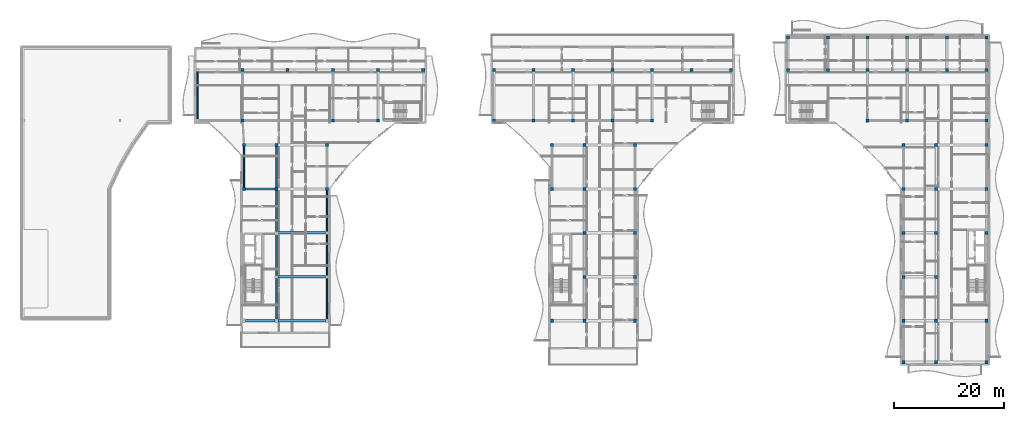
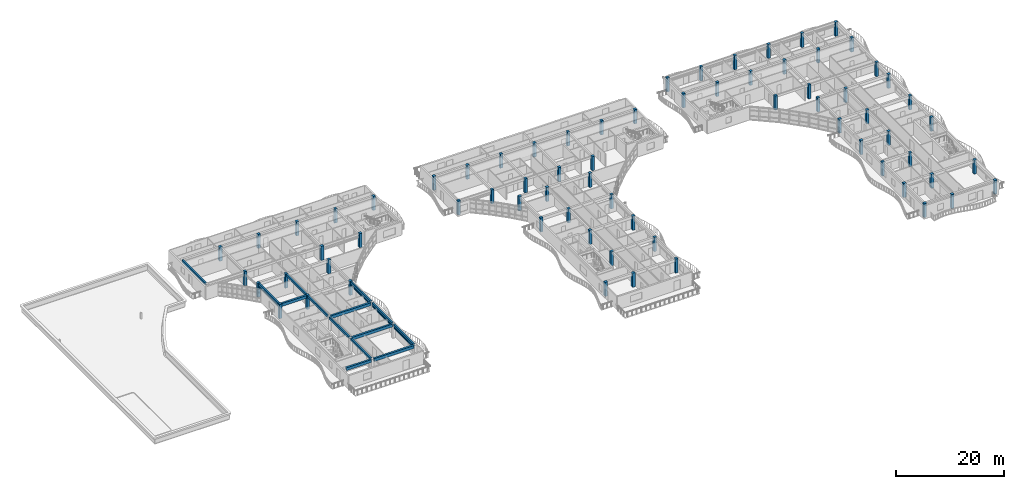
# One storey, part 3 of 54: 71 columns, 14 beams, 8 members.
"""IFC4 building model written with IfcOpenShell, lengths in metres."""

from ifc_helpers import new_model, si_unit, direction, frame, origin, origin_2d, place, context, subcontext, project, spatial, rectangle, hollow_rectangle, extrude, material, material_profile, profile_set, type_object, element, save


model = new_model("IFC4")

# Units and contexts
model_context = context("Model", 3, precision=1e-05, world=origin(), true_north=direction((0.0, 1.0)))
body_context = subcontext(model_context, "Body", "Model", "MODEL_VIEW")
ifc_project = project(units=[si_unit("LENGTHUNIT", "METRE"), si_unit("AREAUNIT", "SQUARE_METRE"), si_unit("VOLUMEUNIT", "CUBIC_METRE"), si_unit("PLANEANGLEUNIT", "RADIAN"), si_unit("MASSUNIT", "GRAM", prefix="KILO")], contexts=[model_context])

# Site, building, storey
site_placement = place(None, origin())
site = spatial("IfcSite", under=ifc_project, at=site_placement, CompositionType="ELEMENT")
building_placement = place(site_placement, origin())
building = spatial("IfcBuilding", under=site, at=building_placement, Name="Keldmere Railside Commons", CompositionType="ELEMENT")
storey_placement = place(building_placement, frame((0.0, 0.0, 26.56005859375)))
storey = spatial("IfcBuildingStorey", under=building, at=storey_placement, Name="L08", CompositionType="ELEMENT", Elevation=26.56005859375)

# Columns
ifc_material_1 = material(Name="Concrete H-35 (C35/45)", Category="concrete")
ifc_material_profile_1 = material_profile(ifc_material_1, rectangle(XDim=0.550048828125, YDim=0.550048828125, at=origin_2d()), Name="RC-550x550")
ifc_profile_set_1 = profile_set([ifc_material_profile_1], Name="Concrete H-35 (C35/45)")
column_type = type_object("IfcColumnType", Name="Upper-Mid RC Column 550x550", PredefinedType="COLUMN", material=ifc_profile_set_1)
for number, where, z_axis, x_axis, name in (
    (1, (48.169921875, 100.449951171875, 0.0), (0.0, 0.0, 1.0), (1.0, 0.0, 0.0), "C-550 COL-L08-0394"),
    (2, (48.169921875, 109.64990234375, 0.0), (0.0, 0.0, 1.0), (1.0, 0.0, 0.0), "C-550 COL-L08-0406"),
    (3, (48.449951171875, 88.0, 0.0), (0.0, 0.0, 1.0), (1.0, 0.0, 0.0), "C-550 COL-L08-0457"),
    (4, (48.449951171875, 96.0, 0.0), (0.0, 0.0, 1.0), (1.0, 0.0, 0.0), "C-550 COL-L08-0468"),
    (5, (54.35009765625, 88.0, 0.0), (0.0, 0.0, 1.0), (1.0, 0.0, 0.0), "C-550 COL-L08-0525"),
    (6, (54.35009765625, 96.0, 0.0), (0.0, 0.0, 1.0), (1.0, 0.0, 0.0), "C-550 COL-L08-0536"),
    (7, (56.389892578125, 109.64990234375, 0.0), (0.0, 0.0, 1.0), (1.0, 0.0, 0.0), "C-550 COL-L08-0548"),
    (8, (63.550048828125, 88.0, 0.0), (0.0, 0.0, 1.0), (1.0, 0.0, 0.0), "C-550 COL-L08-0611"),
    (9, (63.550048828125, 96.0, 0.0), (0.0, 0.0, 1.0), (1.0, 0.0, 0.0), "C-550 COL-L08-0622"),
    (10, (64.610107421875, 100.449951171875, 0.0), (0.0, 0.0, 1.0), (1.0, 0.0, 0.0), "C-550 COL-L08-0648"),
    (11, (64.610107421875, 109.64990234375, 0.0), (0.0, 0.0, 1.0), (1.0, 0.0, 0.0), "C-550 COL-L08-0660"),
    (12, (72.830078125, 100.449951171875, 0.0), (0.0, 0.0, 1.0), (1.0, 0.0, 0.0), "C-550 COL-L08-0693"),
    (13, (72.830078125, 109.64990234375, 0.0), (0.0, 0.0, 1.0), (1.0, 0.0, 0.0), "C-550 COL-L08-0705"),
    (14, (81.050048828125, 109.64990234375, 0.0), (0.0, 0.0, 1.0), (1.0, 0.0, 0.0), "C-550 COL-L08-0758"),
    (15, (93.949951171875, 100.449951171875, 0.0), (0.0, 0.0, 1.0), (1.0, 0.0, 0.0), "C-550 COL-L08-0818"),
    (16, (93.949951171875, 109.64990234375, 0.0), (0.0, 0.0, 1.0), (1.0, 0.0, 0.0), "C-550 COL-L08-0832"),
    (17, (101.133056640625, 100.449951171875, 0.0), (0.0, 0.0, 1.0), (1.0, 0.0, 0.0), "C-550 COL-L08-0887"),
    (18, (101.133056640625, 109.64990234375, 0.0), (0.0, 0.0, 1.0), (1.0, 0.0, 0.0), "C-550 COL-L08-0901"),
    (19, (104.449951171875, 64.0, 0.0), (0.0, 0.0, 1.0), (1.0, 0.0, 0.0), "C-550 COL-L08-0938"),
    (20, (104.449951171875, 88.0, 0.0), (0.0, 0.0, 1.0), (1.0, 0.0, 0.0), "C-550 COL-L08-0950"),
    (21, (104.449951171875, 96.0, 0.0), (0.0, 0.0, 1.0), (1.0, 0.0, 0.0), "C-550 COL-L08-0963"),
    (22, (108.31689453125, 100.449951171875, 0.0), (0.0, 0.0, 1.0), (1.0, 0.0, 0.0), "C-550 COL-L08-0987"),
    (23, (108.31689453125, 109.64990234375, 0.0), (0.0, 0.0, 1.0), (1.0, 0.0, 0.0), "C-550 COL-L08-1001"),
    (24, (110.35009765625, 64.0, 0.0), (0.0, 0.0, 1.0), (1.0, 0.0, 0.0), "C-550 COL-L08-1032"),
    (25, (110.35009765625, 72.0, 0.0), (0.0, 0.0, 1.0), (1.0, 0.0, 0.0), "C-550 COL-L08-1044"),
    (26, (110.35009765625, 80.0, 0.0), (0.0, 0.0, 1.0), (1.0, 0.0, 0.0), "C-550 COL-L08-1057"),
    (27, (110.35009765625, 88.0, 0.0), (0.0, 0.0, 1.0), (1.0, 0.0, 0.0), "C-550 COL-L08-1070"),
    (28, (110.35009765625, 96.0, 0.0), (0.0, 0.0, 1.0), (1.0, 0.0, 0.0), "C-550 COL-L08-1083"),
    (29, (115.5, 100.449951171875, 0.0), (0.0, 0.0, 1.0), (1.0, 0.0, 0.0), "C-550 COL-L08-1104"),
    (30, (115.5, 109.64990234375, 0.0), (0.0, 0.0, 1.0), (1.0, 0.0, 0.0), "C-550 COL-L08-1118"),
    (31, (119.550048828125, 64.0, 0.0), (0.0, 0.0, 1.0), (1.0, 0.0, 0.0), "C-550 COL-L08-1149"),
    (32, (119.550048828125, 72.0, 0.0), (0.0, 0.0, 1.0), (1.0, 0.0, 0.0), "C-550 COL-L08-1161"),
    (33, (119.550048828125, 80.0, 0.0), (0.0, 0.0, 1.0), (1.0, 0.0, 0.0), "C-550 COL-L08-1174"),
    (34, (119.550048828125, 88.0, 0.0), (0.0, 0.0, 1.0), (1.0, 0.0, 0.0), "C-550 COL-L08-1187"),
    (35, (119.550048828125, 96.0, 0.0), (0.0, 0.0, 1.0), (1.0, 0.0, 0.0), "C-550 COL-L08-1200"),
    (36, (122.68310546875, 100.449951171875, 0.0), (0.0, 0.0, 1.0), (1.0, 0.0, 0.0), "C-550 COL-L08-1242"),
    (37, (122.68310546875, 109.64990234375, 0.0), (0.0, 0.0, 1.0), (1.0, 0.0, 0.0), "C-550 COL-L08-1256"),
    (38, (129.866943359375, 109.64990234375, 0.0), (0.0, 0.0, 1.0), (1.0, 0.0, 0.0), "C-550 COL-L08-1301"),
    (39, (137.050048828125, 109.64990234375, 0.0), (0.0, 0.0, 1.0), (1.0, 0.0, 0.0), "C-550 COL-L08-1351"),
    (40, (147.449951171875, 109.64990234375, 0.0), (0.0, 0.0, 1.0), (1.0, 0.0, 0.0), "C-550 COL-L08-1381"),
    (41, (147.449951171875, 115.550048828125, 0.0), (0.0, 0.0, 1.0), (1.0, 0.0, 0.0), "C-550 COL-L08-1396"),
    (42, (154.669921875, 109.64990234375, 0.0), (0.0, 0.0, 1.0), (1.0, 0.0, 0.0), "C-550 COL-L08-1433"),
    (43, (154.669921875, 115.550048828125, 0.0), (0.0, 0.0, 1.0), (1.0, 0.0, 0.0), "C-550 COL-L08-1448"),
    (44, (161.889892578125, 100.449951171875, 0.0), (0.0, 0.0, 1.0), (1.0, 0.0, 0.0), "C-550 COL-L08-1486"),
    (45, (161.889892578125, 109.64990234375, 0.0), (0.0, 0.0, 1.0), (1.0, 0.0, 0.0), "C-550 COL-L08-1502"),
    (46, (161.889892578125, 115.550048828125, 0.0), (0.0, 0.0, 1.0), (1.0, 0.0, 0.0), "C-550 COL-L08-1517"),
    (47, (168.449951171875, 56.449951171875, 0.0), (0.0, 0.0, 1.0), (1.0, 0.0, 0.0), "C-550 COL-L08-1552"),
    (48, (168.449951171875, 64.0, 0.0), (0.0, 0.0, 1.0), (1.0, 0.0, 0.0), "C-550 COL-L08-1562"),
    (49, (168.449951171875, 72.0, 0.0), (0.0, 0.0, 1.0), (1.0, 0.0, 0.0), "C-550 COL-L08-1576"),
    (50, (168.449951171875, 80.0, 0.0), (0.0, 0.0, 1.0), (1.0, 0.0, 0.0), "C-550 COL-L08-1591"),
    (51, (168.449951171875, 88.0, 0.0), (0.0, 0.0, 1.0), (1.0, 0.0, 0.0), "C-550 COL-L08-1606"),
    (52, (168.449951171875, 96.0, 0.0), (0.0, 0.0, 1.0), (1.0, 0.0, 0.0), "C-550 COL-L08-1621"),
    (53, (169.110107421875, 100.449951171875, 0.0), (0.0, 0.0, 1.0), (1.0, 0.0, 0.0), "C-550 COL-L08-1636"),
    (54, (169.110107421875, 109.64990234375, 0.0), (0.0, 0.0, 1.0), (1.0, 0.0, 0.0), "C-550 COL-L08-1652"),
    (55, (169.110107421875, 115.550048828125, 0.0), (0.0, 0.0, 1.0), (1.0, 0.0, 0.0), "C-550 COL-L08-1667"),
    (56, (174.35009765625, 56.449951171875, 0.0), (0.0, 0.0, 1.0), (1.0, 0.0, 0.0), "C-550 COL-L08-1678"),
    (57, (174.35009765625, 64.0, 0.0), (0.0, 0.0, 1.0), (1.0, 0.0, 0.0), "C-550 COL-L08-1688"),
    (58, (174.35009765625, 72.0, 0.0), (0.0, 0.0, 1.0), (1.0, 0.0, 0.0), "C-550 COL-L08-1702"),
    (59, (174.35009765625, 80.0, 0.0), (0.0, 0.0, 1.0), (1.0, 0.0, 0.0), "C-550 COL-L08-1717"),
    (60, (174.35009765625, 88.0, 0.0), (0.0, 0.0, 1.0), (1.0, 0.0, 0.0), "C-550 COL-L08-1732"),
    (61, (174.35009765625, 96.0, 0.0), (0.0, 0.0, 1.0), (1.0, 0.0, 0.0), "C-550 COL-L08-1747"),
    (62, (176.330078125, 109.64990234375, 0.0), (0.0, 0.0, 1.0), (1.0, 0.0, 0.0), "C-550 COL-L08-1780"),
    (63, (176.330078125, 115.550048828125, 0.0), (0.0, 0.0, 1.0), (1.0, 0.0, 0.0), "C-550 COL-L08-1795"),
    (64, (183.550048828125, 56.449951171875, 0.0), (0.0, 0.0, 1.0), (1.0, 0.0, 0.0), "C-550 COL-L08-1810"),
    (65, (183.550048828125, 64.0, 0.0), (0.0, 0.0, 1.0), (1.0, 0.0, 0.0), "C-550 COL-L08-1820"),
    (66, (183.550048828125, 80.0, 0.0), (0.0, 0.0, 1.0), (1.0, 0.0, 0.0), "C-550 COL-L08-1834"),
    (67, (183.550048828125, 88.0, 0.0), (0.0, 0.0, 1.0), (1.0, 0.0, 0.0), "C-550 COL-L08-1849"),
    (68, (183.550048828125, 96.0, 0.0), (0.0, 0.0, 1.0), (1.0, 0.0, 0.0), "C-550 COL-L08-1864"),
    (69, (183.550048828125, 100.449951171875, 0.0), (0.0, 0.0, 1.0), (1.0, 0.0, 0.0), "C-550 COL-L08-1879"),
    (70, (183.550048828125, 109.64990234375, 0.0), (0.0, 0.0, 1.0), (1.0, 0.0, 0.0), "C-550 COL-L08-1895"),
    (71, (183.550048828125, 115.550048828125, 0.0), (0.0, 0.0, 1.0), (1.0, 0.0, 0.0), "C-550 COL-L08-1910"),
):
    element("IfcColumn", number, at=place(storey_placement, frame(where, z_axis=z_axis, x_axis=x_axis)), inside=storey, type_object=column_type, Name=name, PredefinedType="COLUMN", context=body_context, shape_type="SweptSolid", body=[
        extrude(rectangle(XDim=0.550048828125, YDim=0.550048828125, at=origin_2d()), origin(), (0.0, 0.0, 1.0), 3.199951171875),
    ])

# Members
ifc_material_2 = material(Name="Steel F-36 (S355)", Category="steel")
ifc_material_profile_2 = material_profile(ifc_material_2, hollow_rectangle(XDim=0.14990234375, YDim=0.25, WallThickness=0.010009765625, at=origin_2d()), Name="RHS-250x150x10")
ifc_profile_set_2 = profile_set([ifc_material_profile_2], Name="Steel F-36 (S355)")
member_type_1 = type_object("IfcMemberType", Name="Balcony Continuous Planted Trough RHS250x150", PredefinedType="CHORD", material=ifc_profile_set_2)
for number, where, z_axis, x_axis, name in (
    (72, (48.449951171875, 88.27490234375, 2.4150390625), (0.0, 1.0, 0.0), (-1.0, 0.0, 0.0), "PLT-1 MEM-BPLT-0873"),
    (73, (63.550048828125, 64.27490234375, 2.4150390625), (0.0, 1.0, 0.0), (-1.0, 0.0, 0.0), "PLT-1 MEM-BPLT-0879"),
    (74, (63.550048828125, 72.27490234375, 2.4150390625), (0.0, 1.0, 0.0), (-1.0, 0.0, 0.0), "PLT-1 MEM-BPLT-0881"),
    (75, (63.550048828125, 80.27490234375, 2.4150390625), (0.0, 1.0, 0.0), (-1.0, 0.0, 0.0), "PLT-1 MEM-BPLT-0883"),
):
    element("IfcMember", number, at=place(storey_placement, frame(where, z_axis=z_axis, x_axis=x_axis)), inside=storey, type_object=member_type_1, Name=name, PredefinedType="CHORD", context=body_context, shape_type="SweptSolid", body=[
        extrude(hollow_rectangle(XDim=0.14990234375, YDim=0.25, WallThickness=0.010009765625, at=origin_2d()), origin(), (0.0, 0.0, 1.0), 7.4501953125),
    ])

# Beams
ifc_material_3 = material(Name="Concrete H-30 (C30/37)", Category="concrete")
ifc_material_profile_3 = material_profile(ifc_material_3, rectangle(XDim=0.39990234375, YDim=0.64990234375, at=origin_2d()), Name="RC-400x650")
ifc_profile_set_3 = profile_set([ifc_material_profile_3], Name="Concrete H-30 (C30/37)")
beam_type_1 = type_object("IfcBeamType", Name="Residential Spine RC Girder 400x650", PredefinedType="BEAM", material=ifc_profile_set_3)
beam_1_placement = place(storey_placement, frame((48.72509765625, 64.0, 2.875), z_axis=(1.0, 0.0, 0.0), x_axis=(0.0, 1.0, 0.0)))
element("IfcBeam", 76, at=beam_1_placement, inside=storey, type_object=beam_type_1, Name="BG-3 BM-L08-2166", PredefinedType="BEAM", context=body_context, shape_type="SweptSolid", body=[
    extrude(rectangle(XDim=0.39990234375, YDim=0.64990234375, at=origin_2d()), origin(), (0.0, 0.0, 1.0), 5.349853515625),
])
for number, where, z_axis, x_axis, name in (
    (77, (54.625, 64.0, 2.875), (1.0, 0.0, 0.0), (0.0, 1.0, 0.0), "BG-3 BM-L08-2167"),
    (78, (54.625, 72.0, 2.875), (1.0, 0.0, 0.0), (0.0, 1.0, 0.0), "BG-3 BM-L08-2172"),
    (79, (54.625, 80.0, 2.875), (1.0, 0.0, 0.0), (0.0, 1.0, 0.0), "BG-3 BM-L08-2175"),
):
    element("IfcBeam", number, at=place(storey_placement, frame(where, z_axis=z_axis, x_axis=x_axis)), inside=storey, type_object=beam_type_1, Name=name, PredefinedType="BEAM", context=body_context, shape_type="SweptSolid", body=[
        extrude(rectangle(XDim=0.39990234375, YDim=0.64990234375, at=origin_2d()), origin(), (0.0, 0.0, 1.0), 8.64990234375),
    ])
beam_2_placement = place(storey_placement, frame((48.72509765625, 88.0, 2.875), z_axis=(1.0, 0.0, 0.0), x_axis=(0.0, 1.0, 0.0)))
element("IfcBeam", 80, at=beam_2_placement, inside=storey, type_object=beam_type_1, Name="BG-3 BM-L08-2178", PredefinedType="BEAM", context=body_context, shape_type="SweptSolid", body=[
    extrude(rectangle(XDim=0.39990234375, YDim=0.64990234375, at=origin_2d()), origin(), (0.0, 0.0, 1.0), 5.349853515625),
])
ifc_material_profile_4 = material_profile(ifc_material_3, rectangle(XDim=0.300048828125, YDim=0.5, at=origin_2d()), Name="RC-300x500")
ifc_profile_set_4 = profile_set([ifc_material_profile_4], Name="Concrete H-30 (C30/37)")
beam_type_2 = type_object("IfcBeamType", Name="Secondary Frame RC Beam 300x500", PredefinedType="BEAM", material=ifc_profile_set_4)
beam_3_placement = place(storey_placement, frame((39.949951171875, 100.72509765625, 2.949951171875), z_axis=(0.0, 1.0, 0.0), x_axis=(-1.0, 0.0, 0.0)))
element("IfcBeam", 81, at=beam_3_placement, inside=storey, type_object=beam_type_2, Name="BG-5 BM-L08-2220", PredefinedType="BEAM", context=body_context, shape_type="SweptSolid", body=[
    extrude(rectangle(XDim=0.300048828125, YDim=0.5, at=origin_2d()), origin(), (0.0, 0.0, 1.0), 8.64990234375),
])
for number, where, z_axis, x_axis, name in (
    (82, (48.449951171875, 88.27490234375, 2.949951171875), (0.0, 1.0, 0.0), (-1.0, 0.0, 0.0), "BG-5 BM-L08-2222"),
    (83, (54.35009765625, 64.27490234375, 2.949951171875), (0.0, 1.0, 0.0), (-1.0, 0.0, 0.0), "BG-5 BM-L08-2223"),
    (84, (54.35009765625, 72.27490234375, 2.949951171875), (0.0, 1.0, 0.0), (-1.0, 0.0, 0.0), "BG-5 BM-L08-2224"),
    (85, (54.35009765625, 80.27490234375, 2.949951171875), (0.0, 1.0, 0.0), (-1.0, 0.0, 0.0), "BG-5 BM-L08-2225"),
    (86, (54.35009765625, 88.27490234375, 2.949951171875), (0.0, 1.0, 0.0), (-1.0, 0.0, 0.0), "BG-5 BM-L08-2226"),
    (87, (63.550048828125, 64.27490234375, 2.949951171875), (0.0, 1.0, 0.0), (-1.0, 0.0, 0.0), "BG-5 BM-L08-2227"),
    (88, (63.550048828125, 72.27490234375, 2.949951171875), (0.0, 1.0, 0.0), (-1.0, 0.0, 0.0), "BG-5 BM-L08-2228"),
    (89, (63.550048828125, 80.27490234375, 2.949951171875), (0.0, 1.0, 0.0), (-1.0, 0.0, 0.0), "BG-5 BM-L08-2229"),
):
    element("IfcBeam", number, at=place(storey_placement, frame(where, z_axis=z_axis, x_axis=x_axis)), inside=storey, type_object=beam_type_2, Name=name, PredefinedType="BEAM", context=body_context, shape_type="SweptSolid", body=[
        extrude(rectangle(XDim=0.300048828125, YDim=0.5, at=origin_2d()), origin(), (0.0, 0.0, 1.0), 7.4501953125),
    ])

# Members
ifc_material_profile_5 = material_profile(ifc_material_2, hollow_rectangle(XDim=0.10009765625, YDim=0.159912109375, WallThickness=0.008056640625, at=origin_2d()), Name="RHS-160x100x8")
ifc_profile_set_5 = profile_set([ifc_material_profile_5], Name="Steel F-36 (S355)")
member_type_2 = type_object("IfcMemberType", Name="Solar Brise-Soleil Louvre Fin RHS160x100", PredefinedType="STRUT", material=ifc_profile_set_5)
for number, where, z_axis, x_axis, name in (
    (90, (48.449951171875, 88.27490234375, 2.199951171875), (0.0, 1.0, 0.0), (-1.0, 0.0, 0.0), "BSF-1 MEM-BSF-0874"),
    (91, (63.550048828125, 64.27490234375, 2.199951171875), (0.0, 1.0, 0.0), (-1.0, 0.0, 0.0), "BSF-1 MEM-BSF-0880"),
    (92, (63.550048828125, 72.27490234375, 2.199951171875), (0.0, 1.0, 0.0), (-1.0, 0.0, 0.0), "BSF-1 MEM-BSF-0882"),
    (93, (63.550048828125, 80.27490234375, 2.199951171875), (0.0, 1.0, 0.0), (-1.0, 0.0, 0.0), "BSF-1 MEM-BSF-0884"),
):
    element("IfcMember", number, at=place(storey_placement, frame(where, z_axis=z_axis, x_axis=x_axis)), inside=storey, type_object=member_type_2, Name=name, PredefinedType="STRUT", context=body_context, shape_type="SweptSolid", body=[
        extrude(hollow_rectangle(XDim=0.10009765625, YDim=0.159912109375, WallThickness=0.008056640625, at=origin_2d()), origin(), (0.0, 0.0, 1.0), 7.4501953125),
    ])

save(model, "model.ifc")
